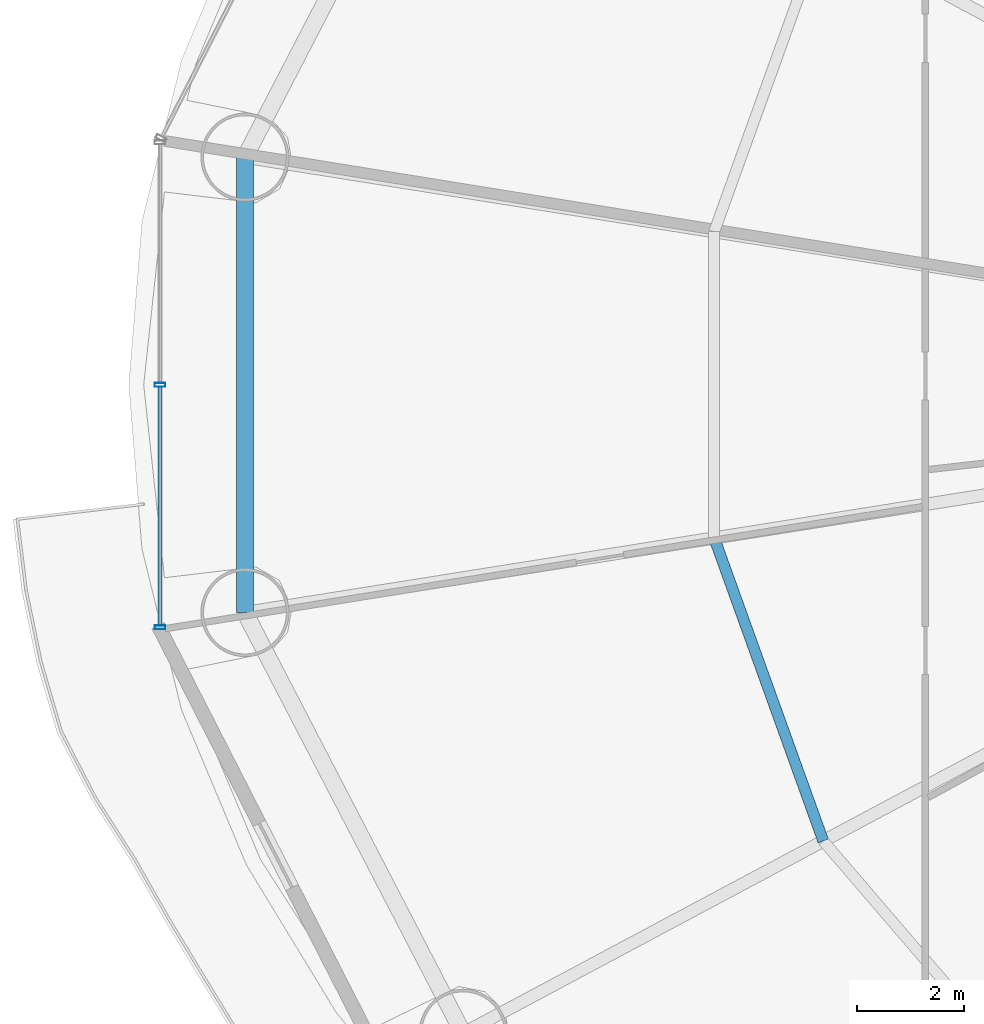
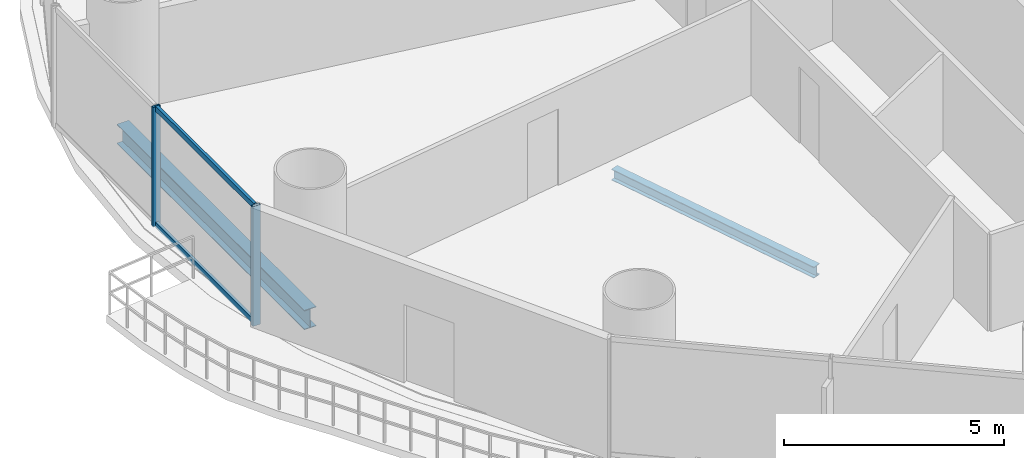
# One storey, part 6 of 30: 4 members, 2 beams, 1 element without a shape of its own.
"""IFC4 building model written with IfcOpenShell, lengths in metres."""

from ifc_helpers import new_model, si_unit, direction, frame, origin, origin_2d, place, context, subcontext, project, spatial, hollow_rectangle, i_section, extrude, source, transform, mapped, material, material_profile, profile_set, type_object, element, aggregate, save


model = new_model("IFC4")

# Units and contexts
model_context = context("Model", 3, precision=1e-05, world=origin(), true_north=direction((-0.2419218956, 0.970295726276)))
body_context = subcontext(model_context, "Body", "Model", "MODEL_VIEW")
ifc_project = project(units=[si_unit("LENGTHUNIT", "METRE"), si_unit("AREAUNIT", "SQUARE_METRE"), si_unit("VOLUMEUNIT", "CUBIC_METRE"), si_unit("PLANEANGLEUNIT", "RADIAN"), si_unit("MASSUNIT", "GRAM", prefix="KILO")], contexts=[model_context])

# Site, building, storey
site_placement = place(None, origin())
site = spatial("IfcSite", under=ifc_project, at=site_placement, CompositionType="ELEMENT")
building_placement = place(site_placement, origin())
building = spatial("IfcBuilding", under=site, at=building_placement, Name="Cobrevalo Terracotta Tower", CompositionType="ELEMENT")
storey_placement = place(building_placement, frame((0.0, 0.0, 27.60009765625)))
storey = spatial("IfcBuildingStorey", under=building, at=storey_placement, Name="L06", CompositionType="ELEMENT", Elevation=27.60009765625)

# Beams
ifc_material_1 = material(Name="Steel S355", Category="steel")
ifc_material_profile_1 = material_profile(ifc_material_1, i_section(OverallWidth=0.2041015625, OverallDepth=0.305908203125, WebThickness=0.008544921875, FlangeThickness=0.0146484375, at=origin_2d()), Name="W 310x67")
ifc_profile_set_1 = profile_set([ifc_material_profile_1], Name="Steel S355")
beam_type_1 = type_object("IfcBeamType", Name="Structural Joist W 310x67 (Steel S355)", PredefinedType="JOIST", material=ifc_profile_set_1)
beam_1_placement = place(storey_placement, frame((19.960205078125, 23.933349609375, -0.43310546875), z_axis=(0.338672151116, -0.940904444701, 0.0), x_axis=(0.940904444701, 0.338672151116, 0.0)))
element("IfcBeam", 1, at=beam_1_placement, inside=storey, type_object=beam_type_1, Name="L06 circumferential secondary floor joist 09", PredefinedType="JOIST", context=body_context, shape_type="SweptSolid", body=[
    extrude(i_section(OverallWidth=0.2041015625, OverallDepth=0.305908203125, WebThickness=0.008544921875, FlangeThickness=0.0146484375, at=origin_2d()), origin(), (0.0, 0.0, 1.0), 6.029296875),
])
ifc_material_profile_2 = material_profile(ifc_material_1, i_section(OverallWidth=0.31201171875, OverallDepth=0.54296875, WebThickness=0.0126953125, FlangeThickness=0.020263671875, at=origin_2d()), Name="W 530x150")
ifc_profile_set_2 = profile_set([ifc_material_profile_2], Name="Steel S355")
beam_type_2 = type_object("IfcBeamType", Name="Structural Spandrel W 530x150 (Steel S355)", PredefinedType="SPANDREL", material=ifc_profile_set_2)
beam_2_placement = place(storey_placement, frame((11.175537109375, 31.062744140625, -0.551513671875), z_axis=(0.0, -1.0, 0.0), x_axis=(1.0, 0.0, 0.0)))
element("IfcBeam", 2, at=beam_2_placement, inside=storey, type_object=beam_type_2, Name="L06 perimeter ring spandrel 08", PredefinedType="SPANDREL", context=body_context, shape_type="SweptSolid", body=[
    extrude(i_section(OverallWidth=0.31201171875, OverallDepth=0.54296875, WebThickness=0.0126953125, FlangeThickness=0.020263671875, at=origin_2d()), origin(), (0.0, 0.0, 1.0), 8.525390625),
])

# Curtain wall, members
ifc_material_2 = material(Name="Anodized aluminium", Category="aluminium")
curtain_wall_type = type_object("IfcCurtainWallType", Name="Lower-tower unitised acoustic low-E curtain wall CW-U1", PredefinedType="NOTDEFINED", material=ifc_material_2)
curtain_wall_placement = place(storey_placement, origin())
curtain_wall = element("IfcCurtainWall", 3, at=curtain_wall_placement, inside=storey, type_object=curtain_wall_type, Name="L06 curtain wall CW-L06-S08", PredefinedType="NOTDEFINED")
ifc_material_profile_3 = material_profile(ifc_material_2, hollow_rectangle(XDim=0.074951171875, YDim=0.14990234375, WallThickness=0.00439453125, at=origin_2d()), Name="CWT 75x150")
ifc_profile_set_3 = profile_set([ifc_material_profile_3], Name="Anodized aluminium")
member_type_1 = type_object("IfcMemberType", Name="Tower unitised aluminium transom 75x150", PredefinedType="USERDEFINED", material=ifc_profile_set_3)
shared_shape_1 = source(origin(), body_context, "Body", "SweptSolid", [
    extrude(hollow_rectangle(XDim=0.074951171875, YDim=0.14990234375, WallThickness=0.00439453125, at=origin_2d()), origin(), (0.0, 0.0, 1.0), 4.458740234375),
])
member_1_placement = place(storey_placement, frame((9.586669921875, 26.760009765625, 0.0498046875), z_axis=(0.0, -1.0, 0.0), x_axis=(1.0, 0.0, 0.0)))
member_1 = element("IfcMember", 4, at=member_1_placement, type_object=member_type_1, Name="CW-L06-S08 transom B02-T1", ObjectType="TRANSOM", PredefinedType="USERDEFINED", context=body_context, shape_type="MappedRepresentation", body=[
    mapped(shared_shape_1, transform((0.0, 0.0, 0.0), scale=1.0)),
])
member_2_placement = place(storey_placement, frame((9.586669921875, 26.760009765625, 3.27001953125), z_axis=(0.0, -1.0, 0.0), x_axis=(1.0, 0.0, 0.0)))
member_2 = element("IfcMember", 5, at=member_2_placement, type_object=member_type_1, Name="CW-L06-S08 transom B02-T2", ObjectType="TRANSOM", PredefinedType="USERDEFINED", context=body_context, shape_type="MappedRepresentation", body=[
    mapped(shared_shape_1, transform((0.0, 0.0, 0.0), scale=1.0)),
])
ifc_material_profile_4 = material_profile(ifc_material_2, hollow_rectangle(XDim=0.074951171875, YDim=0.199951171875, WallThickness=0.0048828125, at=origin_2d()), Name="CWM 75x200")
ifc_profile_set_4 = profile_set([ifc_material_profile_4], Name="Anodized aluminium")
member_type_2 = type_object("IfcMemberType", Name="Lower/mid tower unitised mullion 75x200", PredefinedType="MULLION", material=ifc_profile_set_4)
shared_shape_2 = source(origin(), body_context, "Body", "SweptSolid", [
    extrude(hollow_rectangle(XDim=0.074951171875, YDim=0.199951171875, WallThickness=0.0048828125, at=origin_2d()), origin(), (0.0, 0.0, 1.0), 3.31982421875),
])
member_3_placement = place(storey_placement, frame((9.586669921875, 26.800048828125, 0.0), z_axis=(0.0, 0.0, 1.0), x_axis=(0.0, -1.0, 0.0)))
member_3 = element("IfcMember", 6, at=member_3_placement, type_object=member_type_2, Name="CW-L06-S08 vertical mullion 02", PredefinedType="MULLION", context=body_context, shape_type="MappedRepresentation", body=[
    mapped(shared_shape_2, transform((0.0, 0.0, 0.0), scale=1.0)),
])
member_4_placement = place(storey_placement, frame((9.586669921875, 22.26123046875, 0.0), z_axis=(0.0, 0.0, 1.0), x_axis=(0.0, -1.0, 0.0)))
member_4 = element("IfcMember", 7, at=member_4_placement, type_object=member_type_2, Name="CW-L06-S08 vertical mullion 03", PredefinedType="MULLION", context=body_context, shape_type="MappedRepresentation", body=[
    mapped(shared_shape_2, transform((0.0, 0.0, 0.0), scale=1.0)),
])
aggregate(curtain_wall, [member_3, member_4, member_1, member_2])

save(model, "model.ifc")
